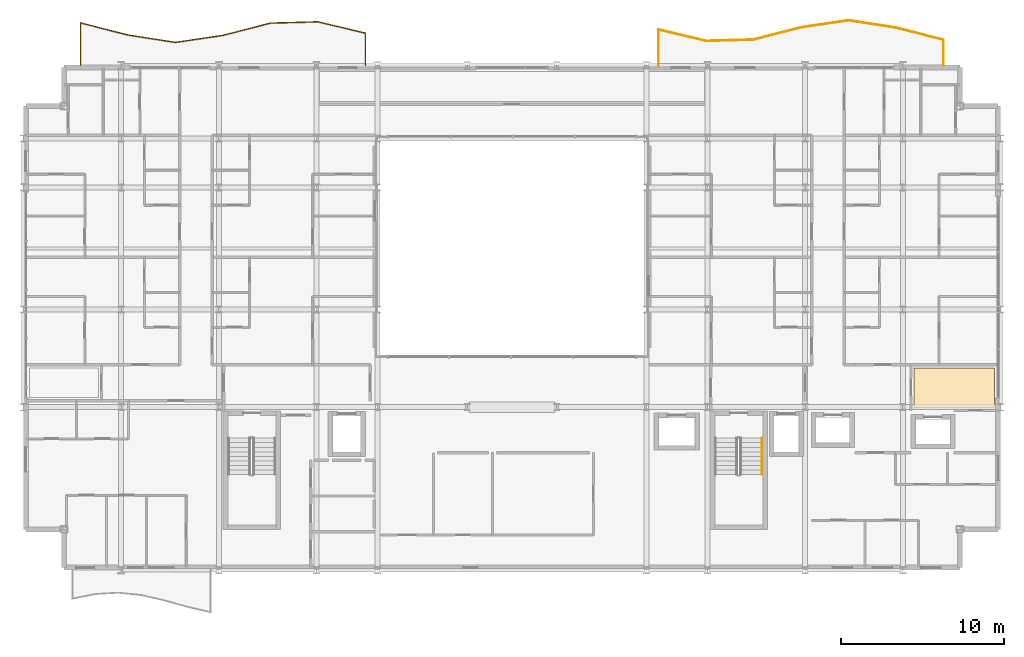
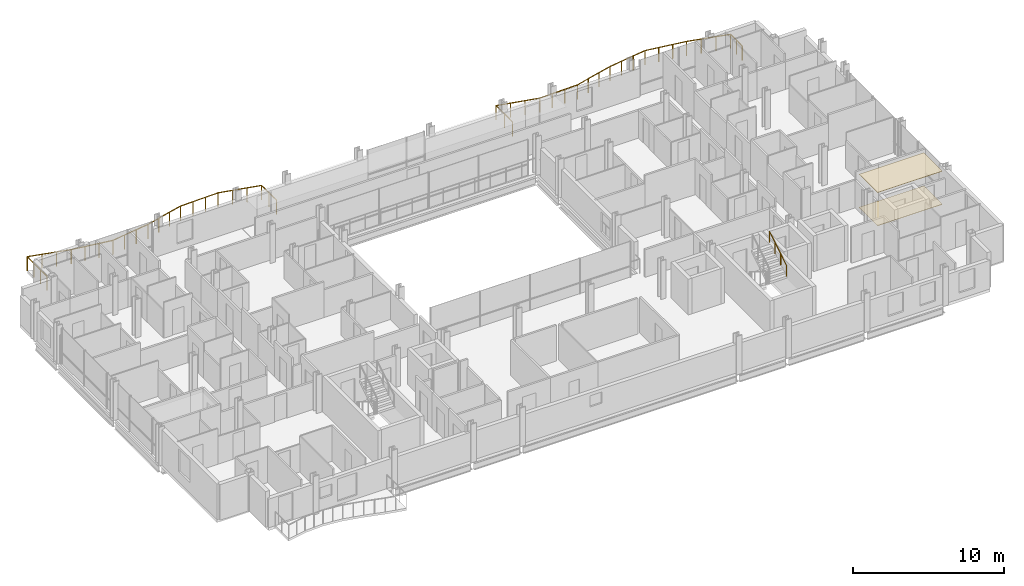
# One storey, part 40 of 40: 3 railings, 2 coverings.
"""IFC4 building model written with IfcOpenShell, lengths in metres."""

from ifc_helpers import new_model, si_unit, direction, frame, origin, origin_2d, place, context, subcontext, project, spatial, polyline, circle, outline, extrude, material, layer, layer_set, type_object, element, save


model = new_model("IFC4")

# Units and contexts
model_context = context("Model", 3, precision=1e-05, world=origin(), true_north=direction((0.0, 1.0)))
body_context = subcontext(model_context, "Body", "Model", "MODEL_VIEW")
ifc_project = project(units=[si_unit("LENGTHUNIT", "METRE"), si_unit("AREAUNIT", "SQUARE_METRE"), si_unit("VOLUMEUNIT", "CUBIC_METRE"), si_unit("PLANEANGLEUNIT", "RADIAN"), si_unit("MASSUNIT", "GRAM", prefix="KILO")], contexts=[model_context])

# Site, building, storey
site_placement = place(None, origin())
site = spatial("IfcSite", under=ifc_project, at=site_placement, CompositionType="ELEMENT")
building_placement = place(site_placement, origin())
building = spatial("IfcBuilding", under=site, at=building_placement, Name="Brevholm Reach", CompositionType="ELEMENT")
storey_placement = place(building_placement, frame((0.0, 0.0, 80.699951171875)))
storey = spatial("IfcBuildingStorey", under=building, at=storey_placement, Name="L23", CompositionType="ELEMENT", Elevation=80.699951171875)

# Coverings
ifc_material_1 = material(Name="Moisture-Resistant Skimmed Gypsum Plasterboard Ceiling", Category="gypsum")
ifc_layer_1 = layer(ifc_material_1, 0.030029296875)
ifc_layer_set_1 = layer_set([ifc_layer_1], Name="Moisture-Resistant Skimmed Gypsum Plasterboard Ceiling")
covering_type_1 = type_object("IfcCoveringType", Name="COV-CLG-GYP", PredefinedType="CEILING", material=ifc_layer_set_1)
covering_1_placement = place(storey_placement, frame((0.0, 0.0, 2.670166015625)))
element("IfcCovering", 1, at=covering_1_placement, inside=storey, type_object=covering_type_1, Name="L23 Suspended Ceiling L23-35", PredefinedType="CEILING", context=body_context, shape_type="SweptSolid", body=[
    extrude(outline(polyline([(59.6201171875, 12.419921875), (59.6201171875, 10.123779296875), (59.6171875, 10.1162109375), (59.607666015625, 10.077880859375), (59.601806640625, 10.039306640625), (59.60009765625, 10.0), (59.60107421875, 9.97998046875), (54.68408203125, 9.97998046875), (54.68408203125, 12.419921875), (59.6201171875, 12.419921875)])), origin(), (0.0, 0.0, 1.0), 0.02978515625),
])
ifc_material_2 = material(Name="Honed Portland-Aggregate Resin Terrazzo Flooring", Category="concrete")
ifc_layer_2 = layer(ifc_material_2, 0.031982421875)
ifc_layer_set_2 = layer_set([ifc_layer_2], Name="Honed Portland-Aggregate Resin Terrazzo Flooring")
covering_type_2 = type_object("IfcCoveringType", Name="COV-FLR-TRZ", PredefinedType="FLOORING", material=ifc_layer_set_2)
covering_2_placement = place(storey_placement, origin())
element("IfcCovering", 2, at=covering_2_placement, inside=storey, type_object=covering_type_2, Name="L23 Floor Finish L23-35", PredefinedType="FLOORING", context=body_context, shape_type="SweptSolid", body=[
    extrude(outline(polyline([(59.6201171875, 12.419921875), (59.6201171875, 10.123779296875), (59.6171875, 10.1162109375), (59.607666015625, 10.077880859375), (59.601806640625, 10.039306640625), (59.60009765625, 10.0), (59.60107421875, 9.97998046875), (54.68408203125, 9.97998046875), (54.68408203125, 12.419921875), (59.6201171875, 12.419921875)])), origin(), (0.0, 0.0, 1.0), 0.031982421875),
])

# Railings
ifc_material_3 = material(Name="Brushed Stainless Steel EN 1.4401 and Laminated Glass", Category="steel")
railing_type_1 = type_object("IfcRailingType", Name="RAL-BALC-1150", PredefinedType="BALUSTRADE", material=ifc_material_3)
railing_1_placement = place(storey_placement, frame((56.5, 31.0, 0.0)))
element("IfcRailing", 3, at=railing_1_placement, inside=storey, type_object=railing_type_1, Name="L23 Guard Balustrade RAL-L23-BAL-NE", PredefinedType="BALUSTRADE", context=body_context, shape_type="SweptSolid", body=[
    extrude(circle(Radius=0.02392578125, at=origin_2d()), frame((0.0, 0.0, 1.1259765625), z_axis=(0.0, 1.0, 0.0), x_axis=(-1.0, 0.0, 0.0)), (0.0, 0.0, 1.0), 1.55029296875),
    extrude(circle(Radius=0.02392578125, at=origin_2d()), frame((0.0, 1.55029296875, 1.1259765625), z_axis=(-0.968923500885, 0.24736056564, 0.0), x_axis=(-0.24736056564, -0.968923500885, 0.0)), (0.0, 0.0, 1.0), 3.01025390625),
    extrude(circle(Radius=0.02392578125, at=origin_2d()), frame((-2.916748046875, 2.294921875, 1.1259765625), z_axis=(-0.988044338858, 0.154169985571, 0.0), x_axis=(-0.154169985571, -0.988044338858, 0.0)), (0.0, 0.0, 1.0), 2.951904296875),
    extrude(circle(Radius=0.02392578125, at=origin_2d()), frame((-5.833251953125, 2.75, 1.1259765625), z_axis=(-0.989154508095, -0.146878722471, 0.0), x_axis=(0.146878722471, -0.989154508095, 0.0)), (0.0, 0.0, 1.0), 2.94873046875),
    extrude(circle(Radius=0.02392578125, at=origin_2d()), frame((-8.75, 2.31689453125, 1.1259765625), z_axis=(-0.968396782901, -0.249414656482, 0.0), x_axis=(0.249414656482, -0.968396782901, 0.0)), (0.0, 0.0, 1.0), 3.011962890625),
    extrude(circle(Radius=0.02392578125, at=origin_2d()), frame((-11.666748046875, 1.565673828125, 1.1259765625), z_axis=(-0.999614033457, -0.027781002771, 0.0), x_axis=(0.027781002771, -0.999614033457, 0.0)), (0.0, 0.0, 1.0), 2.917724609375),
    extrude(circle(Radius=0.02392578125, at=origin_2d()), frame((-14.583251953125, 1.484619140625, 1.1259765625), z_axis=(-0.972687280988, 0.232119480882, 0.0), x_axis=(-0.232119480882, -0.972687280988, 0.0)), (0.0, 0.0, 1.0), 2.99853515625),
    extrude(circle(Radius=0.02392578125, at=origin_2d()), frame((-17.5, 2.1806640625, 1.1259765625), z_axis=(0.0, -1.0, 0.0), x_axis=(1.0, 0.0, 0.0)), (0.0, 0.0, 1.0), 2.1806640625),
    extrude(circle(Radius=0.02099609375, at=origin_2d()), origin(), (0.0, 0.0, 1.0), 1.101806640625),
    extrude(circle(Radius=0.02099609375, at=origin_2d()), frame((0.0, 0.775146484375, 0.0)), (0.0, 0.0, 1.0), 1.101806640625),
    extrude(circle(Radius=0.02099609375, at=origin_2d()), frame((0.0, 1.55029296875, 0.0)), (0.0, 0.0, 1.0), 1.101806640625),
    extrude(circle(Radius=0.02099609375, at=origin_2d()), frame((-0.97216796875, 1.798583984375, 0.0)), (0.0, 0.0, 1.0), 1.101806640625),
    extrude(circle(Radius=0.02099609375, at=origin_2d()), frame((-1.944580078125, 2.046630859375, 0.0)), (0.0, 0.0, 1.0), 1.101806640625),
    extrude(circle(Radius=0.02099609375, at=origin_2d()), frame((-2.916748046875, 2.294921875, 0.0)), (0.0, 0.0, 1.0), 1.101806640625),
    extrude(circle(Radius=0.02099609375, at=origin_2d()), frame((-3.888916015625, 2.446533203125, 0.0)), (0.0, 0.0, 1.0), 1.101806640625),
    extrude(circle(Radius=0.02099609375, at=origin_2d()), frame((-4.861083984375, 2.598388671875, 0.0)), (0.0, 0.0, 1.0), 1.101806640625),
    extrude(circle(Radius=0.02099609375, at=origin_2d()), frame((-5.833251953125, 2.75, 0.0)), (0.0, 0.0, 1.0), 1.101806640625),
    extrude(circle(Radius=0.02099609375, at=origin_2d()), frame((-6.805419921875, 2.605712890625, 0.0)), (0.0, 0.0, 1.0), 1.101806640625),
    extrude(circle(Radius=0.02099609375, at=origin_2d()), frame((-7.77783203125, 2.461181640625, 0.0)), (0.0, 0.0, 1.0), 1.101806640625),
    extrude(circle(Radius=0.02099609375, at=origin_2d()), frame((-8.75, 2.31689453125, 0.0)), (0.0, 0.0, 1.0), 1.101806640625),
    extrude(circle(Radius=0.02099609375, at=origin_2d()), frame((-9.72216796875, 2.06640625, 0.0)), (0.0, 0.0, 1.0), 1.101806640625),
    extrude(circle(Radius=0.02099609375, at=origin_2d()), frame((-10.694580078125, 1.816162109375, 0.0)), (0.0, 0.0, 1.0), 1.101806640625),
    extrude(circle(Radius=0.02099609375, at=origin_2d()), frame((-11.666748046875, 1.565673828125, 0.0)), (0.0, 0.0, 1.0), 1.101806640625),
    extrude(circle(Radius=0.02099609375, at=origin_2d()), frame((-12.638916015625, 1.53857421875, 0.0)), (0.0, 0.0, 1.0), 1.101806640625),
    extrude(circle(Radius=0.02099609375, at=origin_2d()), frame((-13.611083984375, 1.51171875, 0.0)), (0.0, 0.0, 1.0), 1.101806640625),
    extrude(circle(Radius=0.02099609375, at=origin_2d()), frame((-14.583251953125, 1.484619140625, 0.0)), (0.0, 0.0, 1.0), 1.101806640625),
    extrude(circle(Radius=0.02099609375, at=origin_2d()), frame((-15.555419921875, 1.716552734375, 0.0)), (0.0, 0.0, 1.0), 1.101806640625),
    extrude(circle(Radius=0.02099609375, at=origin_2d()), frame((-16.52783203125, 1.94873046875, 0.0)), (0.0, 0.0, 1.0), 1.101806640625),
    extrude(circle(Radius=0.02099609375, at=origin_2d()), frame((-17.5, 2.1806640625, 0.0)), (0.0, 0.0, 1.0), 1.101806640625),
    extrude(circle(Radius=0.02099609375, at=origin_2d()), frame((-17.5, 1.09033203125, 0.0)), (0.0, 0.0, 1.0), 1.101806640625),
    extrude(circle(Radius=0.02099609375, at=origin_2d()), frame((-17.5, 0.0, 0.0)), (0.0, 0.0, 1.0), 1.101806640625),
])
railing_2_placement = place(storey_placement, frame((21.0, 31.0, 0.0)))
element("IfcRailing", 4, at=railing_2_placement, inside=storey, type_object=railing_type_1, Name="L23 Guard Balustrade RAL-L23-BAL-NW", PredefinedType="BALUSTRADE", context=body_context, shape_type="SweptSolid", body=[
    extrude(circle(Radius=0.02392578125, at=origin_2d()), frame((0.0, 0.0, 1.1259765625), z_axis=(0.0, 1.0, 0.0), x_axis=(-1.0, 0.0, 0.0)), (0.0, 0.0, 1.0), 1.969482421875),
    extrude(circle(Radius=0.02392578125, at=origin_2d()), frame((0.0, 1.969482421875, 1.1259765625), z_axis=(-0.972705660557, 0.23204244853, 0.0), x_axis=(-0.23204244853, -0.972705660557, 0.0)), (0.0, 0.0, 1.0), 2.99853515625),
    extrude(circle(Radius=0.02392578125, at=origin_2d()), frame((-2.916748046875, 2.665283203125, 1.1259765625), z_axis=(-0.99961635372, -0.027697389342, 0.0), x_axis=(0.027697389342, -0.99961635372, 0.0)), (0.0, 0.0, 1.0), 2.917724609375),
    extrude(circle(Radius=0.02392578125, at=origin_2d()), frame((-5.833251953125, 2.58447265625, 1.1259765625), z_axis=(-0.968377202247, -0.2494906695, 0.0), x_axis=(0.2494906695, -0.968377202247, 0.0)), (0.0, 0.0, 1.0), 3.011962890625),
    extrude(circle(Radius=0.02392578125, at=origin_2d()), frame((-8.75, 1.8330078125, 1.1259765625), z_axis=(-0.98916653389, -0.146797711943, 0.0), x_axis=(0.146797711943, -0.98916653389, 0.0)), (0.0, 0.0, 1.0), 2.94873046875),
    extrude(circle(Radius=0.02392578125, at=origin_2d()), frame((-11.666748046875, 1.400146484375, 1.1259765625), z_axis=(-0.988044338858, 0.154169985571, 0.0), x_axis=(-0.154169985571, -0.988044338858, 0.0)), (0.0, 0.0, 1.0), 2.951904296875),
    extrude(circle(Radius=0.02392578125, at=origin_2d()), frame((-14.583251953125, 1.855224609375, 1.1259765625), z_axis=(-0.968942936238, 0.247284423921, 0.0), x_axis=(-0.247284423921, -0.968942936238, 0.0)), (0.0, 0.0, 1.0), 3.01025390625),
    extrude(circle(Radius=0.02392578125, at=origin_2d()), frame((-17.5, 2.599609375, 1.1259765625), z_axis=(0.0, -1.0, 0.0), x_axis=(1.0, 0.0, 0.0)), (0.0, 0.0, 1.0), 2.599609375),
    extrude(circle(Radius=0.02099609375, at=origin_2d()), origin(), (0.0, 0.0, 1.0), 1.101806640625),
    extrude(circle(Radius=0.02099609375, at=origin_2d()), frame((0.0, 0.98486328125, 0.0)), (0.0, 0.0, 1.0), 1.101806640625),
    extrude(circle(Radius=0.02099609375, at=origin_2d()), frame((0.0, 1.969482421875, 0.0)), (0.0, 0.0, 1.0), 1.101806640625),
    extrude(circle(Radius=0.02099609375, at=origin_2d()), frame((-0.97216796875, 2.201416015625, 0.0)), (0.0, 0.0, 1.0), 1.101806640625),
    extrude(circle(Radius=0.02099609375, at=origin_2d()), frame((-1.944580078125, 2.433349609375, 0.0)), (0.0, 0.0, 1.0), 1.101806640625),
    extrude(circle(Radius=0.02099609375, at=origin_2d()), frame((-2.916748046875, 2.665283203125, 0.0)), (0.0, 0.0, 1.0), 1.101806640625),
    extrude(circle(Radius=0.02099609375, at=origin_2d()), frame((-3.888916015625, 2.638427734375, 0.0)), (0.0, 0.0, 1.0), 1.101806640625),
    extrude(circle(Radius=0.02099609375, at=origin_2d()), frame((-4.861083984375, 2.611328125, 0.0)), (0.0, 0.0, 1.0), 1.101806640625),
    extrude(circle(Radius=0.02099609375, at=origin_2d()), frame((-5.833251953125, 2.58447265625, 0.0)), (0.0, 0.0, 1.0), 1.101806640625),
    extrude(circle(Radius=0.02099609375, at=origin_2d()), frame((-6.805419921875, 2.333984375, 0.0)), (0.0, 0.0, 1.0), 1.101806640625),
    extrude(circle(Radius=0.02099609375, at=origin_2d()), frame((-7.77783203125, 2.08349609375, 0.0)), (0.0, 0.0, 1.0), 1.101806640625),
    extrude(circle(Radius=0.02099609375, at=origin_2d()), frame((-8.75, 1.8330078125, 0.0)), (0.0, 0.0, 1.0), 1.101806640625),
    extrude(circle(Radius=0.02099609375, at=origin_2d()), frame((-9.72216796875, 1.688720703125, 0.0)), (0.0, 0.0, 1.0), 1.101806640625),
    extrude(circle(Radius=0.02099609375, at=origin_2d()), frame((-10.694580078125, 1.54443359375, 0.0)), (0.0, 0.0, 1.0), 1.101806640625),
    extrude(circle(Radius=0.02099609375, at=origin_2d()), frame((-11.666748046875, 1.400146484375, 0.0)), (0.0, 0.0, 1.0), 1.101806640625),
    extrude(circle(Radius=0.02099609375, at=origin_2d()), frame((-12.638916015625, 1.5517578125, 0.0)), (0.0, 0.0, 1.0), 1.101806640625),
    extrude(circle(Radius=0.02099609375, at=origin_2d()), frame((-13.611083984375, 1.70361328125, 0.0)), (0.0, 0.0, 1.0), 1.101806640625),
    extrude(circle(Radius=0.02099609375, at=origin_2d()), frame((-14.583251953125, 1.855224609375, 0.0)), (0.0, 0.0, 1.0), 1.101806640625),
    extrude(circle(Radius=0.02099609375, at=origin_2d()), frame((-15.555419921875, 2.103271484375, 0.0)), (0.0, 0.0, 1.0), 1.101806640625),
    extrude(circle(Radius=0.02099609375, at=origin_2d()), frame((-16.52783203125, 2.3515625, 0.0)), (0.0, 0.0, 1.0), 1.101806640625),
    extrude(circle(Radius=0.02099609375, at=origin_2d()), frame((-17.5, 2.599609375, 0.0)), (0.0, 0.0, 1.0), 1.101806640625),
    extrude(circle(Radius=0.02099609375, at=origin_2d()), frame((-17.5, 1.733154296875, 0.0)), (0.0, 0.0, 1.0), 1.101806640625),
    extrude(circle(Radius=0.02099609375, at=origin_2d()), frame((-17.5, 0.866455078125, 0.0)), (0.0, 0.0, 1.0), 1.101806640625),
    extrude(circle(Radius=0.02099609375, at=origin_2d()), frame((-17.5, 0.0, 0.0)), (0.0, 0.0, 1.0), 1.101806640625),
])
ifc_material_4 = material(Name="Brushed Stainless Steel EN 1.4401 Continuous Handrail", Category="steel")
railing_type_2 = type_object("IfcRailingType", Name="RAL-HND-950", PredefinedType="HANDRAIL", material=ifc_material_4)
railing_3_placement = place(storey_placement, frame((45.35009765625, 5.860107421875, 1.72216796875)))
element("IfcRailing", 5, at=railing_3_placement, inside=storey, type_object=railing_type_2, Name="L23 ST-2 stair handrail 2", PredefinedType="HANDRAIL", context=body_context, shape_type="SweptSolid", body=[
    extrude(circle(Radius=0.02392578125, at=origin_2d()), frame((0.0, 0.0, 0.8857421875), z_axis=(0.0, 0.851747552033, 0.523952390591), x_axis=(-1.0, 0.0, 0.0)), (0.0, 0.0, 1.0), 2.6298828125),
    extrude(circle(Radius=0.02099609375, at=origin_2d()), origin(), (0.0, 0.0, 1.0), 0.86181640625),
    extrude(circle(Radius=0.02099609375, at=origin_2d()), frame((0.0, 0.74658203125, 0.459228515625)), (0.0, 0.0, 1.0), 0.86181640625),
    extrude(circle(Radius=0.02099609375, at=origin_2d()), frame((0.0, 1.493408203125, 0.918701171875)), (0.0, 0.0, 1.0), 0.86181640625),
    extrude(circle(Radius=0.02099609375, at=origin_2d()), frame((0.0, 2.239990234375, 1.3779296875)), (0.0, 0.0, 1.0), 0.86181640625),
])

save(model, "model.ifc")
